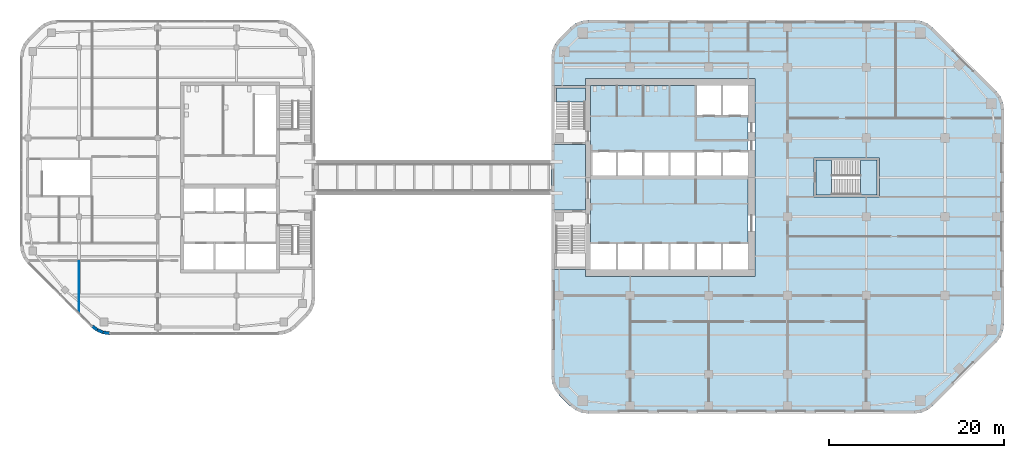
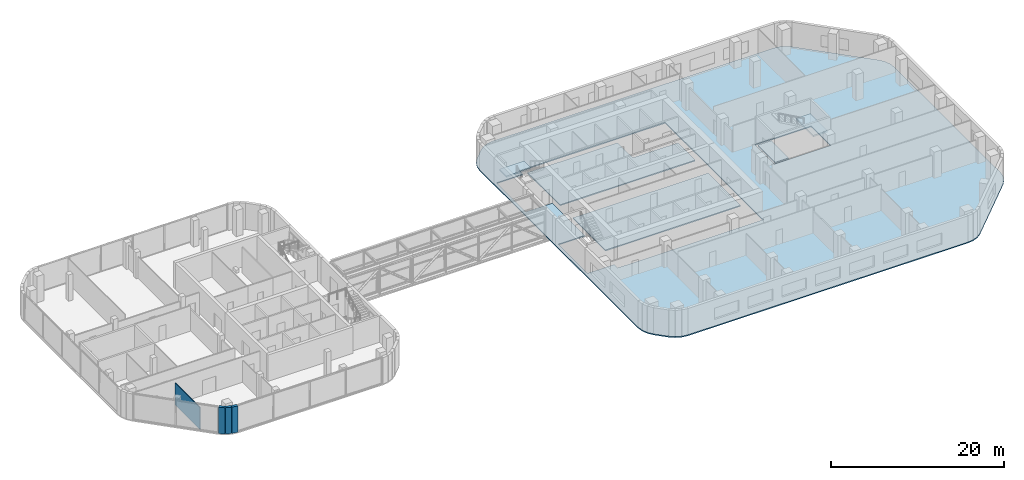
# One storey, part 10 of 21: 6 slabs, 4 walls, 2 elements without a shape of their own.
"""IFC4 building model written with IfcOpenShell, lengths in metres."""

from ifc_helpers import new_model, si_unit, direction, frame, frame_2d, origin, place, context, subcontext, project, spatial, polyline, rectangle, outline, extrude, material, layer, layer_set, type_object, element, aggregate, save


model = new_model("IFC4")

# Units and contexts
model_context = context("Model", 3, precision=1e-05, world=origin(), true_north=direction((0.0, 1.0)))
body_context = subcontext(model_context, "Body", "Model", "MODEL_VIEW")
ifc_project = project(units=[si_unit("LENGTHUNIT", "METRE"), si_unit("AREAUNIT", "SQUARE_METRE"), si_unit("VOLUMEUNIT", "CUBIC_METRE"), si_unit("PLANEANGLEUNIT", "RADIAN"), si_unit("MASSUNIT", "GRAM", prefix="KILO")], contexts=[model_context])

# Site, building, storey
site_placement = place(None, origin())
site = spatial("IfcSite", under=ifc_project, at=site_placement, CompositionType="ELEMENT")
building_placement = place(site_placement, origin())
building = spatial("IfcBuilding", under=site, at=building_placement, Name="Cinnabar Reach Civic Tower", CompositionType="ELEMENT")
storey_placement = place(building_placement, frame((0.0, 0.0, 140.0)))
storey = spatial("IfcBuildingStorey", under=building, at=storey_placement, Name="L33", CompositionType="ELEMENT", Elevation=140.0)

# Slab
ifc_material_1 = material(Name="Concrete C40", Category="concrete")
ifc_layer_1 = layer(ifc_material_1, 0.15)
ifc_layer_set_1 = layer_set([ifc_layer_1], Name="Composite floor slab 150 REI 150")
slab_type_1 = type_object("IfcSlabType", Name="Composite floor slab 150 REI 150", PredefinedType="FLOOR", material=ifc_layer_set_1)
slab_1_placement = place(storey_placement, frame((0.0, 0.0, -0.15)))
element("IfcSlab", 1, at=slab_1_placement, inside=storey, type_object=slab_type_1, Name="Composite floor slab 150 T1 L33", PredefinedType="FLOOR", context=body_context, shape_type="SweptSolid", body=[
    extrude(outline(polyline([(0.8787, 6.6213), (0.4019, 7.2426), (0.1022, 7.9662), (0.0, 8.7426), (0.0, 45.2574), (0.1022, 46.0338), (0.4019, 46.7574), (0.8787, 47.3787), (2.1213, 48.6213), (2.7426, 49.0981), (3.4662, 49.3978), (4.2426, 49.5), (41.5074, 49.5), (42.2838, 49.3978), (43.0074, 49.0981), (43.6287, 48.6213), (50.8713, 41.3787), (51.3481, 40.7574), (51.6478, 40.0338), (51.75, 39.2574), (51.75, 14.7426), (51.6478, 13.9662), (51.3481, 13.2426), (50.8713, 12.6213), (43.6287, 5.3787), (43.0074, 4.9019), (42.2838, 4.6022), (41.5074, 4.5), (4.2426, 4.5), (3.4662, 4.6022), (2.7426, 4.9019), (2.1213, 5.3787), (0.8787, 6.6213)]), holes=[polyline([(0.36, 21.0), (3.9, 21.0), (3.9, 20.2), (23.3, 20.2), (23.3, 42.8), (3.9, 42.8), (3.9, 42.0), (0.36, 42.0), (0.36, 35.25), (3.9, 35.25), (3.9, 27.75), (0.36, 27.75), (0.36, 21.0)]), polyline([(30.0, 33.75), (30.0, 29.25), (37.5, 29.25), (37.5, 33.75), (30.0, 33.75)])]), origin(), (0.0, 0.0, 1.0), 0.15),
])

# Stair, slab
ifc_material_2 = material(Name="Concrete C40/50", Category="concrete")
stair_type = type_object("IfcStairType", Name="T1 Exit stair, half-turn", PredefinedType="HALF_TURN_STAIR", material=ifc_material_2)
stair_1_placement = place(storey_placement, origin())
stair_1 = element("IfcStair", 2, at=stair_1_placement, inside=storey, type_object=stair_type, Name="Stair T1-S2", PredefinedType="HALF_TURN_STAIR")
ifc_layer_2 = layer(ifc_material_2, 0.2)
ifc_layer_set_2 = layer_set([ifc_layer_2], Name="T1 Stair landing 200, Concrete C40/50")
slab_type_2 = type_object("IfcSlabType", Name="T1 Stair landing 200, Concrete C40/50", PredefinedType="LANDING", material=ifc_layer_set_2)
slab_2_placement = place(storey_placement, frame((0.0, 0.0, 1.8)))
slab_2 = element("IfcSlab", 3, at=slab_2_placement, type_object=slab_type_2, Name="T1-S2 landing 2", PredefinedType="LANDING", context=body_context, shape_type="SweptSolid", body=[
    extrude(outline(polyline([(0.6, 40.13), (0.6, 41.75), (3.9, 41.75), (3.9, 40.13), (0.6, 40.13)])), origin(), (0.0, 0.0, 1.0), 0.2),
])
aggregate(stair_1, [slab_2])

# Stair, slabs
stair_2_placement = place(storey_placement, origin())
stair_2 = element("IfcStair", 4, at=stair_2_placement, inside=storey, type_object=stair_type, Name="Stair T1-S3", PredefinedType="HALF_TURN_STAIR")
slab_3_placement = place(storey_placement, frame((0.0, 0.0, -0.2)))
slab_3 = element("IfcSlab", 5, at=slab_3_placement, type_object=slab_type_2, Name="T1-S3 landing 1", PredefinedType="LANDING", context=body_context, shape_type="SweptSolid", body=[
    extrude(outline(polyline([(30.25, 29.5), (32.05, 29.5), (32.05, 33.5), (30.25, 33.5), (30.25, 29.5)])), origin(), (0.0, 0.0, 1.0), 0.2),
])
slab_4_placement = place(storey_placement, frame((0.0, 0.0, 1.8)))
slab_4 = element("IfcSlab", 6, at=slab_4_placement, type_object=slab_type_2, Name="T1-S3 landing 2", PredefinedType="LANDING", context=body_context, shape_type="SweptSolid", body=[
    extrude(outline(polyline([(35.35, 29.5), (37.25, 29.5), (37.25, 33.5), (35.35, 33.5), (35.35, 29.5)])), origin(), (0.0, 0.0, 1.0), 0.2),
])
aggregate(stair_2, [slab_3, slab_4])

# Slabs
ifc_layer_3 = layer(ifc_material_2, 0.15)
ifc_layer_set_3 = layer_set([ifc_layer_3], Name="T1 core floor slab 150")
slab_type_3 = type_object("IfcSlabType", Name="T1 core floor slab 150", PredefinedType="FLOOR", material=ifc_layer_set_3)
slab_5_placement = place(storey_placement, frame((0.0, 0.0, -0.15)))
element("IfcSlab", 7, at=slab_5_placement, inside=storey, type_object=slab_type_3, Name="Core floor slab L33", PredefinedType="FLOOR", context=body_context, shape_type="SweptSolid", body=[
    extrude(outline(polyline([(22.5, 24.0), (19.5, 24.0), (16.5, 24.0), (13.5, 24.0), (10.5, 24.0), (7.5, 24.0), (4.5, 24.0), (4.5, 31.5), (7.5, 31.5), (10.5, 31.5), (13.5, 31.5), (16.5, 31.5), (19.5, 31.5), (22.5, 31.5), (22.5, 24.0)])), origin(), (0.0, 0.0, 1.0), 0.15),
])
slab_6_placement = place(storey_placement, frame((0.0, 0.0, -0.15)))
element("IfcSlab", 8, at=slab_6_placement, inside=storey, type_object=slab_type_3, Name="Core floor slab L33", PredefinedType="FLOOR", context=body_context, shape_type="SweptSolid", body=[
    extrude(outline(polyline([(22.5, 34.5), (19.5, 34.5), (16.5, 34.5), (13.5, 34.5), (10.5, 34.5), (7.5, 34.5), (4.5, 34.5), (4.5, 42.0), (16.5, 42.0), (16.5, 38.5), (19.5, 38.5), (22.5, 38.5), (22.5, 34.5)])), origin(), (0.0, 0.0, 1.0), 0.15),
])

# Walls
ifc_material_3 = material(Name="Facing brick with insulated backing", Category="masonry")
ifc_layer_4 = layer(ifc_material_3, 0.36)
ifc_layer_set_4 = layer_set([ifc_layer_4], Name="Brick corner wall")
wall_type_1 = type_object("IfcWallType", Name="Brick corner wall", PredefinedType="STANDARD", material=ifc_layer_set_4)
wall_1_placement = place(storey_placement, frame((-52.4913, 14.5002, 0.0), z_axis=(0.0, 0.0, 1.0), x_axis=(0.793321924995, -0.608802368033, 0.0)))
element("IfcWall", 9, at=wall_1_placement, inside=storey, type_object=wall_type_1, Name="Brick corner wall", PredefinedType="STANDARD", context=body_context, shape_type="SweptSolid", body=[
    extrude(rectangle(XDim=0.7132, YDim=0.36, at=frame_2d((0.3566, 0.0))), origin(), (0.0, 0.0, 1.0), 3.7),
])
for number, where, z_axis, x_axis, name in (
    (10, (-51.9061, 14.0548, 0.0), (0.0, 0.0, 1.0), (0.923871547278, -0.382702709855, 0.0), "Brick corner wall"),
    (11, (-51.2256, 13.7761, 0.0), (0.0, 0.0, 1.0), (0.99144092581, -0.13055608231, 0.0), "Brick corner wall"),
):
    element("IfcWall", number, at=place(storey_placement, frame(where, z_axis=z_axis, x_axis=x_axis)), inside=storey, type_object=wall_type_1, Name=name, PredefinedType="STANDARD", context=body_context, shape_type="SweptSolid", body=[
        extrude(rectangle(XDim=0.7131, YDim=0.36, at=frame_2d((0.3565, 0.0))), origin(), (0.0, 0.0, 1.0), 3.7),
    ])
ifc_material_4 = material(Name="Gypsum board on steel studs", Category="steel")
ifc_layer_5 = layer(ifc_material_4, 0.1)
ifc_layer_set_5 = layer_set([ifc_layer_5], Name="Partition wall 100 T2")
wall_type_2 = type_object("IfcWallType", Name="Partition wall 100 T2", PredefinedType="PARTITIONING", material=ifc_layer_set_5)
wall_2_placement = place(storey_placement, frame((-54.0, 16.1491, 0.0), z_axis=(0.0, 0.0, 1.0), x_axis=(0.0, 1.0, 0.0)))
element("IfcWall", 12, at=wall_2_placement, inside=storey, type_object=wall_type_2, Name="Partition wall 17", PredefinedType="PARTITIONING", context=body_context, shape_type="SweptSolid", body=[
    extrude(rectangle(XDim=5.7759, YDim=0.1, at=frame_2d((2.888, 0.0))), origin(), (0.0, 0.0, 1.0), 3.062),
])

save(model, "model.ifc")
